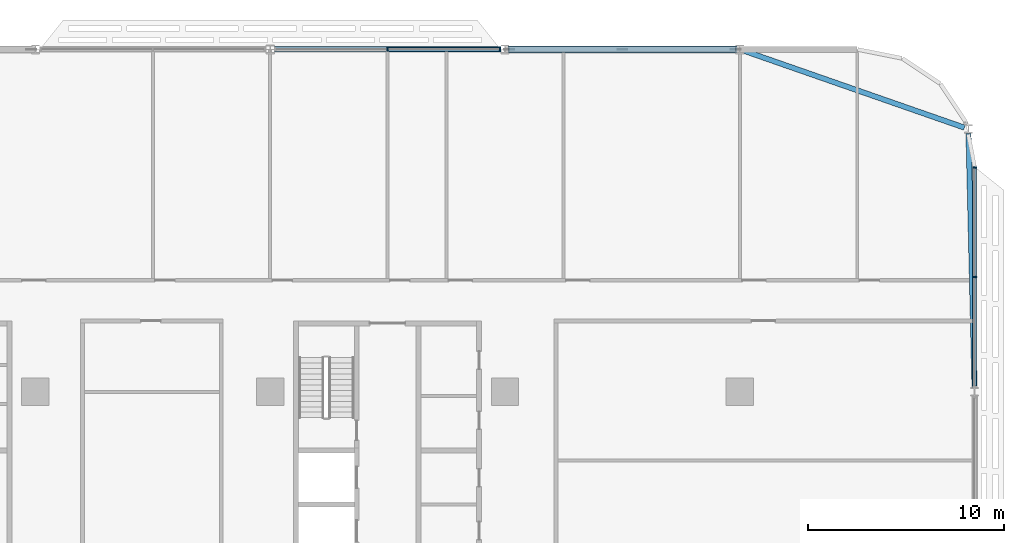
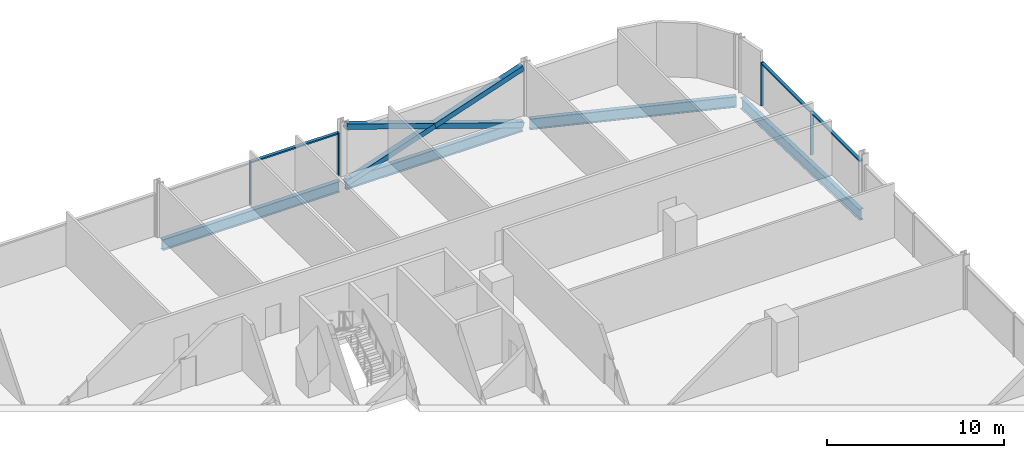
# One storey, part 10 of 29: 10 members, 4 beams, 2 elements without a shape of their own.
"""IFC4 building model written with IfcOpenShell, lengths in metres."""

from ifc_helpers import new_model, si_unit, direction, frame, origin, origin_2d, place, context, subcontext, project, spatial, rectangle, hollow_rectangle, i_section, extrude, material, material_profile, profile_set, type_object, element, aggregate, save


model = new_model("IFC4")

# Units and contexts
model_context = context("Model", 3, precision=1e-05, world=origin(), true_north=direction((0.0, 1.0)))
body_context = subcontext(model_context, "Body", "Model", "MODEL_VIEW")
ifc_project = project(units=[si_unit("LENGTHUNIT", "METRE"), si_unit("AREAUNIT", "SQUARE_METRE"), si_unit("VOLUMEUNIT", "CUBIC_METRE"), si_unit("PLANEANGLEUNIT", "RADIAN"), si_unit("MASSUNIT", "GRAM", prefix="KILO")], contexts=[model_context])

# Site, building, storey
site_placement = place(None, origin())
site = spatial("IfcSite", under=ifc_project, at=site_placement, CompositionType="ELEMENT")
building_placement = place(site_placement, origin())
building = spatial("IfcBuilding", under=site, at=building_placement, Name="Mahtab Terrace Research Tower", CompositionType="ELEMENT")
storey_placement = place(building_placement, frame((0.0, 0.0, 105.300048828125)))
storey = spatial("IfcBuildingStorey", under=building, at=storey_placement, Name="L24", CompositionType="ELEMENT", Elevation=105.300048828125)

# Members
ifc_material_1 = material(Name="Steel ASTM A500 Gr C", Category="steel")
ifc_material_profile_1 = material_profile(ifc_material_1, hollow_rectangle(XDim=0.355712890625, YDim=0.355712890625, WallThickness=0.01904296875, at=origin_2d()), Name="HSS14X14X3/4")
ifc_profile_set_1 = profile_set([ifc_material_profile_1], Name="Steel ASTM A500 Gr C")
member_type_1 = type_object("IfcMemberType", Name="HSS 14x14x3/4 brace XB141434", PredefinedType="BRACE", material=ifc_profile_set_1)
member_1_placement = place(storey_placement, frame((41.79052734375, 29.0, -0.64697265625), z_axis=(-0.946292853795, 0.0, 0.323310740397), x_axis=(0.0, -1.0, 0.0)))
element("IfcMember", 1, at=member_1_placement, inside=storey, type_object=member_type_1, Name="Exoskeleton brace L24 02 a", PredefinedType="BRACE", context=body_context, shape_type="SweptSolid", body=[
    extrude(hollow_rectangle(XDim=0.355712890625, YDim=0.355712890625, WallThickness=0.01904296875, at=origin_2d()), origin(), (0.0, 0.0, 1.0), 12.23828125),
])
for number, where, z_axis, x_axis, name in (
    (2, (30.20947265625, 29.0, -0.64697265625), (0.946286750388, 0.0, 0.323328603809), (0.0, 1.0, 0.0), "Exoskeleton brace L24 02 b1"),
    (3, (36.0, 29.0, 1.33154296875), (0.946298956945, 0.0, 0.323292876639), (0.0, 1.0, 0.0), "Exoskeleton brace L24 02 b2"),
):
    element("IfcMember", number, at=place(storey_placement, frame(where, z_axis=z_axis, x_axis=x_axis)), inside=storey, type_object=member_type_1, Name=name, PredefinedType="BRACE", context=body_context, shape_type="SweptSolid", body=[
        extrude(hollow_rectangle(XDim=0.355712890625, YDim=0.355712890625, WallThickness=0.01904296875, at=origin_2d()), origin(), (0.0, 0.0, 1.0), 6.119140625),
    ])

# Curtain wall, members
ifc_material_2 = material(Name="Laboratory ribbon curtain wall")
curtain_wall_type = type_object("IfcCurtainWallType", Name="Laboratory ribbon curtain wall", PredefinedType="NOTDEFINED", material=ifc_material_2)
curtain_wall_1_placement = place(storey_placement, origin())
curtain_wall_1 = element("IfcCurtainWall", 4, at=curtain_wall_1_placement, inside=storey, type_object=curtain_wall_type, Name="EN.L24.3.5", PredefinedType="NOTDEFINED")
ifc_material_3 = material(Name="Natural anodised aluminium", Category="aluminium")
ifc_material_profile_2 = material_profile(ifc_material_3, rectangle(XDim=0.199951171875, YDim=0.06494140625, at=origin_2d()), Name="MULLION 65x200")
ifc_profile_set_2 = profile_set([ifc_material_profile_2], Name="Natural anodised aluminium")
member_type_2 = type_object("IfcMemberType", Name="Laboratory ribbon curtain wall mullion", PredefinedType="MULLION", material=ifc_profile_set_2)
member_2_placement = place(storey_placement, frame((29.739501953125, 29.0, 0.0), z_axis=(0.0, 0.0, 1.0), x_axis=(0.0, -1.0, 0.0)))
member_2 = element("IfcMember", 5, at=member_2_placement, type_object=member_type_2, Name="CWL-3 mullion 1", PredefinedType="MULLION", context=body_context, shape_type="SweptSolid", body=[
    extrude(rectangle(XDim=0.199951171875, YDim=0.06494140625, at=origin_2d()), origin(), (0.0, 0.0, 1.0), 3.0029296875),
])
member_3_placement = place(storey_placement, frame((24.0, 29.0, 0.0), z_axis=(0.0, 0.0, 1.0), x_axis=(0.0, -1.0, 0.0)))
member_3 = element("IfcMember", 6, at=member_3_placement, type_object=member_type_2, Name="CWL-3 mullion 2", PredefinedType="MULLION", context=body_context, shape_type="SweptSolid", body=[
    extrude(rectangle(XDim=0.199951171875, YDim=0.06494140625, at=origin_2d()), origin(), (0.0, 0.0, 1.0), 3.0029296875),
])

curtain_wall_2_placement = place(storey_placement, origin())
curtain_wall_2 = element("IfcCurtainWall", 7, at=curtain_wall_2_placement, inside=storey, type_object=curtain_wall_type, Name="EN.L24.18.38", PredefinedType="NOTDEFINED")
member_4_placement = place(storey_placement, frame((54.0, 17.364013671875, 0.0), z_axis=(0.0, 0.0, 1.0), x_axis=(-1.0, 0.0, 0.0)))
member_4 = element("IfcMember", 8, at=member_4_placement, type_object=member_type_2, Name="CWL-3 mullion 2", PredefinedType="MULLION", context=body_context, shape_type="SweptSolid", body=[
    extrude(rectangle(XDim=0.199951171875, YDim=0.06494140625, at=origin_2d()), origin(), (0.0, 0.0, 1.0), 3.0029296875),
])
member_5_placement = place(storey_placement, frame((54.0, 22.967529296875, 0.0), z_axis=(0.0, 0.0, 1.0), x_axis=(-1.0, 0.0, 0.0)))
member_5 = element("IfcMember", 9, at=member_5_placement, type_object=member_type_2, Name="CWL-3 mullion 3", PredefinedType="MULLION", context=body_context, shape_type="SweptSolid", body=[
    extrude(rectangle(XDim=0.199951171875, YDim=0.06494140625, at=origin_2d()), origin(), (0.0, 0.0, 1.0), 3.0029296875),
])

# Member
ifc_material_profile_3 = material_profile(ifc_material_3, rectangle(XDim=0.199951171875, YDim=0.10009765625, at=origin_2d()), Name="TRANSOM 100x200")
ifc_profile_set_3 = profile_set([ifc_material_profile_3], Name="Natural anodised aluminium")
member_type_3 = type_object("IfcMemberType", Name="Laboratory ribbon curtain wall transom", PredefinedType="USERDEFINED", material=ifc_profile_set_3)
member_6_placement = place(storey_placement, frame((29.70703125, 29.0, 2.953125), z_axis=(-1.0, 0.0, 0.0), x_axis=(0.0, -1.0, 0.0)))
member_6 = element("IfcMember", 10, at=member_6_placement, type_object=member_type_3, Name="CWL-3 transom 1", ObjectType="TRANSOM", PredefinedType="USERDEFINED", context=body_context, shape_type="SweptSolid", body=[
    extrude(rectangle(XDim=0.199951171875, YDim=0.10009765625, at=origin_2d()), origin(), (0.0, 0.0, 1.0), 5.674560546875),
])

aggregate(curtain_wall_1, [member_2, member_3, member_6])

member_7_placement = place(storey_placement, frame((54.0, 11.79296875, 2.953125), z_axis=(0.0, 1.0, 0.0), x_axis=(-1.0, 0.0, 0.0)))
member_7 = element("IfcMember", 11, at=member_7_placement, type_object=member_type_3, Name="CWL-3 transom 1", ObjectType="TRANSOM", PredefinedType="USERDEFINED", context=body_context, shape_type="SweptSolid", body=[
    extrude(rectangle(XDim=0.199951171875, YDim=0.10009765625, at=origin_2d()), origin(), (0.0, 0.0, 1.0), 5.53857421875),
])

member_8_placement = place(storey_placement, frame((54.0, 17.396484375, 2.953125), z_axis=(0.0, 1.0, 0.0), x_axis=(-1.0, 0.0, 0.0)))
member_8 = element("IfcMember", 12, at=member_8_placement, type_object=member_type_3, Name="CWL-3 transom 2", ObjectType="TRANSOM", PredefinedType="USERDEFINED", context=body_context, shape_type="SweptSolid", body=[
    extrude(rectangle(XDim=0.199951171875, YDim=0.10009765625, at=origin_2d()), origin(), (0.0, 0.0, 1.0), 5.53857421875),
])

aggregate(curtain_wall_2, [member_4, member_5, member_7, member_8])

# Beams
ifc_material_4 = material(Name="Steel ASTM A992 Gr 50", Category="steel")
ifc_material_profile_4 = material_profile(ifc_material_4, i_section(OverallWidth=0.2666015625, OverallDepth=0.7568359375, WebThickness=0.013916015625, FlangeThickness=0.019287109375, at=origin_2d()), Name="W30X108")
ifc_profile_set_4 = profile_set([ifc_material_profile_4], Name="Steel ASTM A992 Gr 50")
beam_type = type_object("IfcBeamType", Name="W30x108 beam BS30108", PredefinedType="BEAM", material=ifc_profile_set_4)
beam_1_placement = place(storey_placement, frame((53.472412109375, 25.0, -0.718505859375), z_axis=(-0.944250501583, 0.32922786981, 0.0), x_axis=(-0.32922786981, -0.944250501583, 0.0)))
element("IfcBeam", 13, at=beam_1_placement, inside=storey, type_object=beam_type, Name="Spandrel beam L24 01", PredefinedType="BEAM", context=body_context, shape_type="SweptSolid", body=[
    extrude(i_section(OverallWidth=0.2666015625, OverallDepth=0.7568359375, WebThickness=0.013916015625, FlangeThickness=0.019287109375, at=origin_2d()), origin(), (0.0, 0.0, 1.0), 11.927978515625),
])
for number, where, z_axis, x_axis, name in (
    (14, (41.79052734375, 29.0, -0.718505859375), (-1.0, 0.0, 0.0), (0.0, -1.0, 0.0), "Spandrel beam L24 02"),
    (15, (29.79052734375, 29.0, -0.718505859375), (-1.0, 0.0, 0.0), (0.0, -1.0, 0.0), "Spandrel beam L24 03"),
):
    element("IfcBeam", number, at=place(storey_placement, frame(where, z_axis=z_axis, x_axis=x_axis)), inside=storey, type_object=beam_type, Name=name, PredefinedType="BEAM", context=body_context, shape_type="SweptSolid", body=[
        extrude(i_section(OverallWidth=0.2666015625, OverallDepth=0.7568359375, WebThickness=0.013916015625, FlangeThickness=0.019287109375, at=origin_2d()), origin(), (0.0, 0.0, 1.0), 11.5810546875),
    ])
beam_2_placement = place(storey_placement, frame((53.99462890625, 11.727294921875, -0.718505859375), z_axis=(-0.023668910773, 0.99971985209, 0.0), x_axis=(-0.99971985209, -0.023668910773, 0.0)))
element("IfcBeam", 16, at=beam_2_placement, inside=storey, type_object=beam_type, Name="Spandrel beam L24 22", PredefinedType="BEAM", context=body_context, shape_type="SweptSolid", body=[
    extrude(i_section(OverallWidth=0.2666015625, OverallDepth=0.7568359375, WebThickness=0.013916015625, FlangeThickness=0.019287109375, at=origin_2d()), origin(), (0.0, 0.0, 1.0), 12.97607421875),
])

save(model, "model.ifc")
